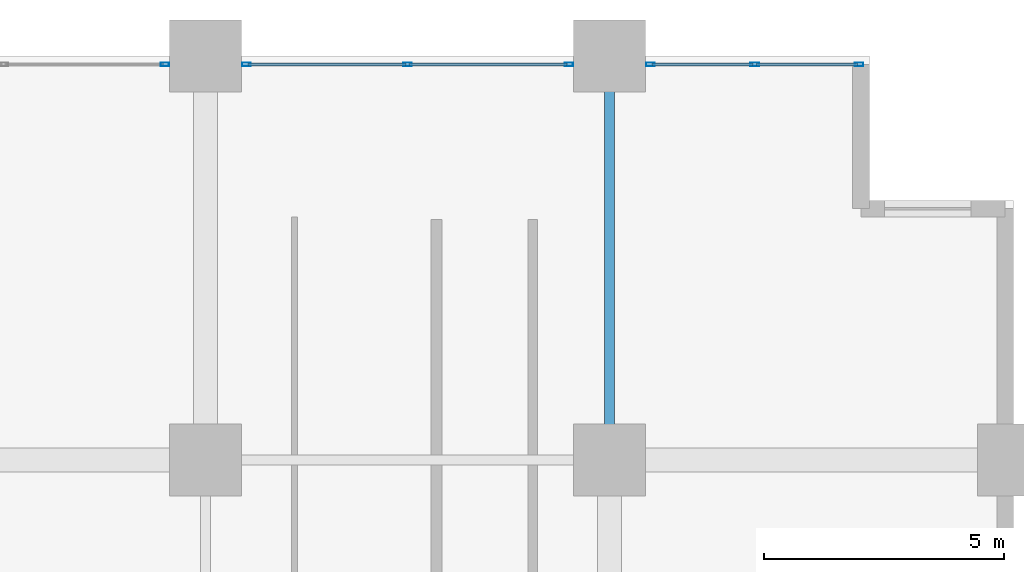
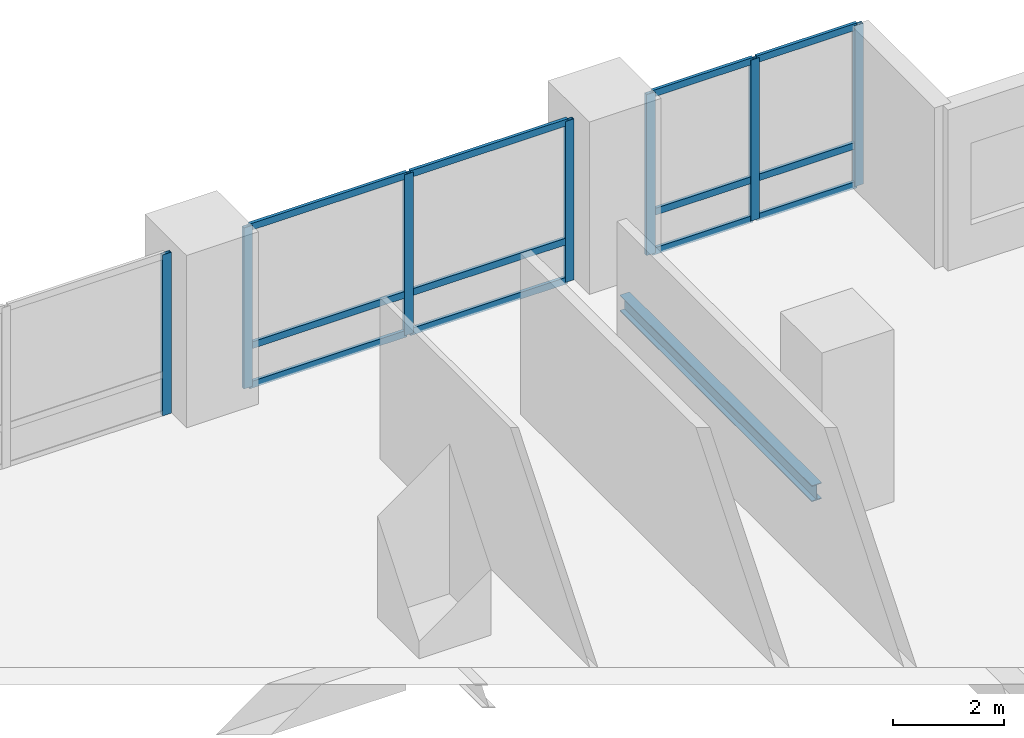
# One storey, part 5 of 24: 19 members, 1 beam, 3 elements without a shape of their own.
"""IFC4 building model written with IfcOpenShell, lengths in metres."""

import ifcopenshell
import ifcopenshell.guid

model = None  # the IFC model being written
_history = None  # IfcOwnerHistory: only IFC2X3 demands one
_inside = {}  # id of a spatial element -> (the spatial element, [elements in it])
_under = {}  # id of a project, library or spatial element -> (it, [spatial elements below it])
_declared = {}  # id of a project -> (the project, [libraries it declares])
_typed = {}  # id of a type object -> (the type object, [elements of that type])
_made_of = {}  # id of a material, layer set ... -> (it, [elements and type objects made of it])


def new_model(schema):
    """Start an empty IFC model of exactly this schema.

    Asked for "IFC4X3", IfcOpenShell would pick the latest addendum, in which some entities
    have other attributes; the version numbers below select the first issue.
    IFC2X3 requires an IfcOwnerHistory on every rooted entity: one is made here for all.
    """
    global model, _history
    if schema == "IFC4X3":
        model = ifcopenshell.file(schema_version=(4, 3, 0, 0))
    else:
        model = ifcopenshell.file(schema=schema)
    _inside.clear()
    _under.clear()
    _declared.clear()
    _typed.clear()
    _made_of.clear()
    _history = None
    if model.schema == "IFC2X3":
        org = make("IfcOrganization", Name="unknown")
        user = make(
            "IfcPersonAndOrganization",
            ThePerson=make("IfcPerson", FamilyName="unknown"),
            TheOrganization=org,
        )
        app = make(
            "IfcApplication",
            ApplicationDeveloper=org,
            Version="unknown",
            ApplicationFullName="unknown",
            ApplicationIdentifier="unknown",
        )
        _history = make(
            "IfcOwnerHistory",
            OwningUser=user,
            OwningApplication=app,
            ChangeAction="ADDED",
            CreationDate=0,
        )
    return model


def make(cls, **values):
    """One entity of the class cls with the attributes given. An attribute that is None is left unset."""
    return model.create_entity(
        cls, **{name: value for name, value in values.items() if value is not None}
    )


def rooted(cls, **values):
    """An entity with a GlobalId (a new one), such as an element, a storey or a relation."""
    return make(cls, GlobalId=ifcopenshell.guid.new(), OwnerHistory=_history, **values)


def si_unit(unit_type, name, prefix=None):
    """IfcSIUnit, for example si_unit("LENGTHUNIT", "METRE", prefix="MILLI")."""
    return make("IfcSIUnit", UnitType=unit_type, Prefix=prefix, Name=name)


def assignment(units):
    """IfcUnitAssignment: the units of a project."""
    return None if units is None else make("IfcUnitAssignment", Units=units)


def point(xyz):
    """IfcCartesianPoint."""
    return None if xyz is None else make("IfcCartesianPoint", Coordinates=xyz)


def direction(xyz):
    """IfcDirection."""
    return None if xyz is None else make("IfcDirection", DirectionRatios=xyz)


def frame(location, z_axis=None, x_axis=None):
    """IfcAxis2Placement3D, a coordinate frame: its origin and axes. An axis left out is left unset."""
    return make(
        "IfcAxis2Placement3D",
        Location=point(location),
        Axis=direction(z_axis),
        RefDirection=direction(x_axis),
    )


def frame_2d(location, x_axis=None):
    """IfcAxis2Placement2D, a coordinate frame in the plane: its origin and x axis."""
    return make(
        "IfcAxis2Placement2D", Location=point(location), RefDirection=direction(x_axis)
    )


def origin():
    """The frame at (0, 0, 0) with its axes left unset."""
    return frame((0.0, 0.0, 0.0))


def origin_2d():
    """The frame at (0, 0) in the plane with its x axis left unset."""
    return frame_2d((0.0, 0.0))


def place(relative_to, where):
    """IfcLocalPlacement: puts the frame where relative to a parent placement (None: the world)."""
    return make(
        "IfcLocalPlacement", PlacementRelTo=relative_to, RelativePlacement=where
    )


def context(
    kind, dimensions, precision=None, world=None, true_north=None, identifier=None
):
    """IfcGeometricRepresentationContext, for example the 3D "Model" context."""
    return make(
        "IfcGeometricRepresentationContext",
        ContextIdentifier=identifier,
        ContextType=kind,
        CoordinateSpaceDimension=dimensions,
        Precision=precision,
        WorldCoordinateSystem=world,
        TrueNorth=true_north,
    )


def subcontext(parent, identifier, kind, view, scale=None):
    """IfcGeometricRepresentationSubContext, for example "Body" below "Model"."""
    return make(
        "IfcGeometricRepresentationSubContext",
        ContextIdentifier=identifier,
        ContextType=kind,
        ParentContext=parent,
        TargetScale=scale,
        TargetView=view,
    )


def project(units=None, contexts=None):
    """IfcProject with its units and contexts."""
    return rooted(
        "IfcProject",
        Name="project",
        RepresentationContexts=contexts,
        UnitsInContext=assignment(units),
    )


def spatial(cls, under=None, at=None, **own):
    """A site, building, storey or space (cls), placed at a placement, below another one or the project."""
    s = rooted(cls, ObjectPlacement=at, **own)
    if under is not None:
        _under.setdefault(under.id(), (under, []))[1].append(s)
    return s


def profile(cls, at=None, kind="AREA", **sizes):
    """A parametric profile (cls). Its sizes go by their IFC names, for example OverallWidth=200.0."""
    return make(cls, ProfileType=kind, Position=at, **sizes)


def hollow_rectangle(**sizes):
    """IfcRectangleHollowProfileDef."""
    return profile("IfcRectangleHollowProfileDef", **sizes)


def i_section(**sizes):
    """IfcIShapeProfileDef."""
    return profile("IfcIShapeProfileDef", **sizes)


def extrude(swept, where, along, depth):
    """IfcExtrudedAreaSolid: the profile swept, set in the frame where, extruded along a direction by depth."""
    return make(
        "IfcExtrudedAreaSolid",
        SweptArea=swept,
        Position=where,
        ExtrudedDirection=direction(along),
        Depth=depth,
    )


def shape(context_of_items, identifier, shape_type, items):
    """IfcShapeRepresentation: the items that make up one representation, for example the "Body"."""
    return make(
        "IfcShapeRepresentation",
        ContextOfItems=context_of_items,
        RepresentationIdentifier=identifier,
        RepresentationType=shape_type,
        Items=items,
    )


def material(Name=None, Category=None):
    """IfcMaterial."""
    return make("IfcMaterial", Name=Name, Category=Category)


def layer(
    of_material, thickness, ventilated=None, Name=None, Category=None, Priority=None
):
    """IfcMaterialLayer: one layer of a wall or slab, of a material (None: an air gap)."""
    return make(
        "IfcMaterialLayer",
        Material=of_material,
        LayerThickness=thickness,
        IsVentilated=ventilated,
        Name=Name,
        Category=Category,
        Priority=Priority,
    )


def layer_set(layers, Name=None):
    """IfcMaterialLayerSet."""
    return make("IfcMaterialLayerSet", MaterialLayers=layers, LayerSetName=Name)


def material_profile(
    of_material, cross_section, Name=None, Category=None, Priority=None
):
    """IfcMaterialProfile: a cross section and its material."""
    return make(
        "IfcMaterialProfile",
        Name=Name,
        Material=of_material,
        Profile=cross_section,
        Priority=Priority,
        Category=Category,
    )


def profile_set(profiles, Name=None, composite=None):
    """IfcMaterialProfileSet."""
    return make(
        "IfcMaterialProfileSet",
        Name=Name,
        MaterialProfiles=profiles,
        CompositeProfile=composite,
    )


def made_of(thing, what):
    """Note that an element or type object is made of a material, layer set ...; save() writes the relation."""
    if what is not None:
        _made_of.setdefault(what.id(), (what, []))[1].append(thing)
    return thing


def type_object(cls, material=None, **own):
    """A type object (cls), such as IfcWallType, which elements share."""
    return made_of(rooted(cls, **own), material)


def element(
    cls,
    number,
    at=None,
    inside=None,
    cuts=None,
    type_object=None,
    material=None,
    context=None,
    identifier="Body",
    shape_type=None,
    held_by="IfcProductDefinitionShape",
    body=None,
    shapes=None,
    **own,
):
    """One element of the class cls, such as IfcWall. Its Tag is "e" and its number.

    at: its placement. inside: the storey or other place that contains it. cuts: it is an
    opening in that element (IfcRelVoidsElement). A single representation is given by context,
    identifier, shape_type and body (its items); several are given by shapes. held_by: the class
    of the entity that holds the representations. save() writes the other relations.
    """
    e = rooted(cls, Tag="e%d" % number, ObjectPlacement=at, **own)
    if body is not None:
        shapes = [shape(context, identifier, shape_type, body)]
    if shapes is not None:
        e.Representation = make(held_by, Representations=shapes)
    if inside is not None:
        _inside.setdefault(inside.id(), (inside, []))[1].append(e)
    if cuts is not None:
        rooted(
            "IfcRelVoidsElement", RelatingBuildingElement=cuts, RelatedOpeningElement=e
        )
    if type_object is not None:
        _typed.setdefault(type_object.id(), (type_object, []))[1].append(e)
    return made_of(e, material)


def aggregate(whole, parts):
    """IfcRelAggregates: a whole, such as a stair, and the parts it consists of."""
    return rooted("IfcRelAggregates", RelatingObject=whole, RelatedObjects=parts)


def save(model, path):
    """Write the relations noted so far, then the file.

    IfcRelAggregates (storeys below a building ...), IfcRelContainedInSpatialStructure (elements
    in a storey), IfcRelDefinesByType, IfcRelAssociatesMaterial and IfcRelDeclares: one each for
    every whole, place, type object, material and project.
    """
    for whole, parts in _under.values():
        aggregate(whole, parts)
    for where, things in _inside.values():
        rooted(
            "IfcRelContainedInSpatialStructure",
            RelatedElements=things,
            RelatingStructure=where,
        )
    for kind, things in _typed.values():
        rooted("IfcRelDefinesByType", RelatedObjects=things, RelatingType=kind)
    for what, things in _made_of.values():
        rooted("IfcRelAssociatesMaterial", RelatedObjects=things, RelatingMaterial=what)
    for by, libraries in _declared.values():
        rooted("IfcRelDeclares", RelatingContext=by, RelatedDefinitions=libraries)
    model.write(path)


model = new_model("IFC4")

# Units and contexts
model_context = context("Model", 3, precision=1e-05, world=origin(), true_north=direction((0.0, 1.0)))
body_context = subcontext(model_context, "Body", "Model", "MODEL_VIEW")
ifc_project = project(units=[si_unit("LENGTHUNIT", "METRE"), si_unit("AREAUNIT", "SQUARE_METRE"), si_unit("VOLUMEUNIT", "CUBIC_METRE"), si_unit("PLANEANGLEUNIT", "RADIAN"), si_unit("MASSUNIT", "GRAM", prefix="KILO")], contexts=[model_context])

# Site, building, storey
site_placement = place(None, origin())
site = spatial("IfcSite", under=ifc_project, at=site_placement, CompositionType="ELEMENT")
building_placement = place(site_placement, origin())
building = spatial("IfcBuilding", under=site, at=building_placement, Name="Koriwani Terraces Tower", CompositionType="ELEMENT")
storey_placement = place(building_placement, frame((0.0, 0.0, 47.199951171875)))
storey = spatial("IfcBuildingStorey", under=building, at=storey_placement, Name="L10", CompositionType="ELEMENT", Elevation=47.199951171875)

# Curtain wall, member
ifc_material_1 = material(Name="Anodised Bronze Aluminium", Category="aluminium")
ifc_layer = layer(ifc_material_1, 0.179931640625, Name="Anodised Bronze Aluminium")
ifc_layer_set = layer_set([ifc_layer], Name="Anodised Bronze Aluminium")
curtain_wall_type = type_object("IfcCurtainWallType", Name="CW_HOTEL_ZONE1", PredefinedType="NOTDEFINED", material=ifc_layer_set)
curtain_wall_1_placement = place(storey_placement, origin())
curtain_wall_1 = element("IfcCurtainWall", 1, at=curtain_wall_1_placement, inside=storey, type_object=curtain_wall_type, Name="L10 Unitised Curtain Wall (N_TIP) Bay 2", PredefinedType="NOTDEFINED")
ifc_material_profile_1 = material_profile(ifc_material_1, hollow_rectangle(XDim=0.074951171875, YDim=0.179931640625, WallThickness=0.006103515625, at=origin_2d()), Name="Anodised Bronze Aluminium", Category="LoadBearing")
ifc_profile_set_1 = profile_set([ifc_material_profile_1], Name="Anodised Bronze Aluminium")
member_type_1 = type_object("IfcMemberType", Name="CW_MULLION_180X75", PredefinedType="MULLION", material=ifc_profile_set_1)
member_1_placement = place(storey_placement, frame((15.952392578125, 92.22509765625, 0.0), z_axis=(0.0, 0.0, 1.0), x_axis=(0.0, 1.0, 0.0)))
member_1 = element("IfcMember", 2, at=member_1_placement, type_object=member_type_1, Name="CW-Z1 mullion 3", PredefinedType="MULLION", context=body_context, shape_type="SweptSolid", body=[
    extrude(hollow_rectangle(XDim=0.074951171875, YDim=0.179931640625, WallThickness=0.006103515625, at=origin_2d()), origin(), (0.0, 0.0, 1.0), 3.550048828125),
])
aggregate(curtain_wall_1, [member_1])

# Curtain wall, members
curtain_wall_2_placement = place(storey_placement, origin())
curtain_wall_2 = element("IfcCurtainWall", 3, at=curtain_wall_2_placement, inside=storey, type_object=curtain_wall_type, Name="L10 Unitised Curtain Wall (N_TIP) Bay 3", PredefinedType="NOTDEFINED")
member_2_placement = place(storey_placement, frame((17.6474609375, 92.22509765625, 0.0), z_axis=(0.0, 0.0, 1.0), x_axis=(0.0, 1.0, 0.0)))
member_2 = element("IfcMember", 4, at=member_2_placement, type_object=member_type_1, Name="CW-Z1 mullion 1", PredefinedType="MULLION", context=body_context, shape_type="SweptSolid", body=[
    extrude(hollow_rectangle(XDim=0.074951171875, YDim=0.179931640625, WallThickness=0.006103515625, at=origin_2d()), origin(), (0.0, 0.0, 1.0), 3.550048828125),
])
member_3_placement = place(storey_placement, frame((21.0, 92.22509765625, 0.0), z_axis=(0.0, 0.0, 1.0), x_axis=(0.0, 1.0, 0.0)))
member_3 = element("IfcMember", 5, at=member_3_placement, type_object=member_type_1, Name="CW-Z1 mullion 2", PredefinedType="MULLION", context=body_context, shape_type="SweptSolid", body=[
    extrude(hollow_rectangle(XDim=0.074951171875, YDim=0.179931640625, WallThickness=0.006103515625, at=origin_2d()), origin(), (0.0, 0.0, 1.0), 3.550048828125),
])
member_4_placement = place(storey_placement, frame((24.3525390625, 92.22509765625, 0.0), z_axis=(0.0, 0.0, 1.0), x_axis=(0.0, 1.0, 0.0)))
member_4 = element("IfcMember", 6, at=member_4_placement, type_object=member_type_1, Name="CW-Z1 mullion 3", PredefinedType="MULLION", context=body_context, shape_type="SweptSolid", body=[
    extrude(hollow_rectangle(XDim=0.074951171875, YDim=0.179931640625, WallThickness=0.006103515625, at=origin_2d()), origin(), (0.0, 0.0, 1.0), 3.550048828125),
])

curtain_wall_3_placement = place(storey_placement, origin())
curtain_wall_3 = element("IfcCurtainWall", 7, at=curtain_wall_3_placement, inside=storey, type_object=curtain_wall_type, Name="L10 Unitised Curtain Wall (N_TIP) Bay 4", PredefinedType="NOTDEFINED")
member_5_placement = place(storey_placement, frame((26.047607421875, 92.22509765625, 0.0), z_axis=(0.0, 0.0, 1.0), x_axis=(0.0, 1.0, 0.0)))
member_5 = element("IfcMember", 8, at=member_5_placement, type_object=member_type_1, Name="CW-Z1 mullion 1", PredefinedType="MULLION", context=body_context, shape_type="SweptSolid", body=[
    extrude(hollow_rectangle(XDim=0.074951171875, YDim=0.179931640625, WallThickness=0.006103515625, at=origin_2d()), origin(), (0.0, 0.0, 1.0), 3.550048828125),
])
member_6_placement = place(storey_placement, frame((28.217529296875, 92.22509765625, 0.0), z_axis=(0.0, 0.0, 1.0), x_axis=(0.0, 1.0, 0.0)))
member_6 = element("IfcMember", 9, at=member_6_placement, type_object=member_type_1, Name="CW-Z1 mullion 2", PredefinedType="MULLION", context=body_context, shape_type="SweptSolid", body=[
    extrude(hollow_rectangle(XDim=0.074951171875, YDim=0.179931640625, WallThickness=0.006103515625, at=origin_2d()), origin(), (0.0, 0.0, 1.0), 3.550048828125),
])
member_7_placement = place(storey_placement, frame((30.387451171875, 92.22509765625, 0.0), z_axis=(0.0, 0.0, 1.0), x_axis=(0.0, 1.0, 0.0)))
member_7 = element("IfcMember", 10, at=member_7_placement, type_object=member_type_1, Name="CW-Z1 mullion 3", PredefinedType="MULLION", context=body_context, shape_type="SweptSolid", body=[
    extrude(hollow_rectangle(XDim=0.074951171875, YDim=0.179931640625, WallThickness=0.006103515625, at=origin_2d()), origin(), (0.0, 0.0, 1.0), 3.550048828125),
])

# Member
ifc_material_profile_2 = material_profile(ifc_material_1, hollow_rectangle(XDim=0.06494140625, YDim=0.14990234375, WallThickness=0.0048828125, at=origin_2d()), Name="Anodised Bronze Aluminium", Category="LoadBearing")
ifc_profile_set_2 = profile_set([ifc_material_profile_2], Name="Anodised Bronze Aluminium")
member_type_2 = type_object("IfcMemberType", Name="CW_TRANSOM_150X65", PredefinedType="USERDEFINED", material=ifc_profile_set_2)
member_8_placement = place(storey_placement, frame((17.68505859375, 92.22509765625, 0.032470703125), z_axis=(1.0, 0.0, 0.0), x_axis=(0.0, 1.0, 0.0)))
member_8 = element("IfcMember", 11, at=member_8_placement, type_object=member_type_2, Name="CW-Z1 transom 1.1", ObjectType="TRANSOM", PredefinedType="USERDEFINED", context=body_context, shape_type="SweptSolid", body=[
    extrude(hollow_rectangle(XDim=0.06494140625, YDim=0.14990234375, WallThickness=0.0048828125, at=origin_2d()), origin(), (0.0, 0.0, 1.0), 3.27734375),
])

member_9_placement = place(storey_placement, frame((17.68505859375, 92.22509765625, 0.900146484375), z_axis=(1.0, 0.0, 0.0), x_axis=(0.0, 1.0, 0.0)))
member_9 = element("IfcMember", 12, at=member_9_placement, type_object=member_type_2, Name="CW-Z1 transom 1.2", ObjectType="TRANSOM", PredefinedType="USERDEFINED", context=body_context, shape_type="SweptSolid", body=[
    extrude(hollow_rectangle(XDim=0.06494140625, YDim=0.14990234375, WallThickness=0.0048828125, at=origin_2d()), origin(), (0.0, 0.0, 1.0), 3.27734375),
])

member_10_placement = place(storey_placement, frame((17.68505859375, 92.22509765625, 3.517578125), z_axis=(1.0, 0.0, 0.0), x_axis=(0.0, 1.0, 0.0)))
member_10 = element("IfcMember", 13, at=member_10_placement, type_object=member_type_2, Name="CW-Z1 transom 1.3", ObjectType="TRANSOM", PredefinedType="USERDEFINED", context=body_context, shape_type="SweptSolid", body=[
    extrude(hollow_rectangle(XDim=0.06494140625, YDim=0.14990234375, WallThickness=0.0048828125, at=origin_2d()), origin(), (0.0, 0.0, 1.0), 3.27734375),
])

member_11_placement = place(storey_placement, frame((21.03759765625, 92.22509765625, 0.032470703125), z_axis=(1.0, 0.0, 0.0), x_axis=(0.0, 1.0, 0.0)))
member_11 = element("IfcMember", 14, at=member_11_placement, type_object=member_type_2, Name="CW-Z1 transom 2.1", ObjectType="TRANSOM", PredefinedType="USERDEFINED", context=body_context, shape_type="SweptSolid", body=[
    extrude(hollow_rectangle(XDim=0.06494140625, YDim=0.14990234375, WallThickness=0.0048828125, at=origin_2d()), origin(), (0.0, 0.0, 1.0), 3.27734375),
])

member_12_placement = place(storey_placement, frame((21.03759765625, 92.22509765625, 0.900146484375), z_axis=(1.0, 0.0, 0.0), x_axis=(0.0, 1.0, 0.0)))
member_12 = element("IfcMember", 15, at=member_12_placement, type_object=member_type_2, Name="CW-Z1 transom 2.2", ObjectType="TRANSOM", PredefinedType="USERDEFINED", context=body_context, shape_type="SweptSolid", body=[
    extrude(hollow_rectangle(XDim=0.06494140625, YDim=0.14990234375, WallThickness=0.0048828125, at=origin_2d()), origin(), (0.0, 0.0, 1.0), 3.27734375),
])

member_13_placement = place(storey_placement, frame((21.03759765625, 92.22509765625, 3.517578125), z_axis=(1.0, 0.0, 0.0), x_axis=(0.0, 1.0, 0.0)))
member_13 = element("IfcMember", 16, at=member_13_placement, type_object=member_type_2, Name="CW-Z1 transom 2.3", ObjectType="TRANSOM", PredefinedType="USERDEFINED", context=body_context, shape_type="SweptSolid", body=[
    extrude(hollow_rectangle(XDim=0.06494140625, YDim=0.14990234375, WallThickness=0.0048828125, at=origin_2d()), origin(), (0.0, 0.0, 1.0), 3.27734375),
])

aggregate(curtain_wall_2, [member_2, member_3, member_4, member_8, member_9, member_10, member_11, member_12, member_13])

member_14_placement = place(storey_placement, frame((26.0849609375, 92.22509765625, 0.032470703125), z_axis=(1.0, 0.0, 0.0), x_axis=(0.0, 1.0, 0.0)))
member_14 = element("IfcMember", 17, at=member_14_placement, type_object=member_type_2, Name="CW-Z1 transom 1.1", ObjectType="TRANSOM", PredefinedType="USERDEFINED", context=body_context, shape_type="SweptSolid", body=[
    extrude(hollow_rectangle(XDim=0.06494140625, YDim=0.14990234375, WallThickness=0.0048828125, at=origin_2d()), origin(), (0.0, 0.0, 1.0), 2.094970703125),
])

member_15_placement = place(storey_placement, frame((26.0849609375, 92.22509765625, 0.900146484375), z_axis=(1.0, 0.0, 0.0), x_axis=(0.0, 1.0, 0.0)))
member_15 = element("IfcMember", 18, at=member_15_placement, type_object=member_type_2, Name="CW-Z1 transom 1.2", ObjectType="TRANSOM", PredefinedType="USERDEFINED", context=body_context, shape_type="SweptSolid", body=[
    extrude(hollow_rectangle(XDim=0.06494140625, YDim=0.14990234375, WallThickness=0.0048828125, at=origin_2d()), origin(), (0.0, 0.0, 1.0), 2.094970703125),
])

member_16_placement = place(storey_placement, frame((26.0849609375, 92.22509765625, 3.517578125), z_axis=(1.0, 0.0, 0.0), x_axis=(0.0, 1.0, 0.0)))
member_16 = element("IfcMember", 19, at=member_16_placement, type_object=member_type_2, Name="CW-Z1 transom 1.3", ObjectType="TRANSOM", PredefinedType="USERDEFINED", context=body_context, shape_type="SweptSolid", body=[
    extrude(hollow_rectangle(XDim=0.06494140625, YDim=0.14990234375, WallThickness=0.0048828125, at=origin_2d()), origin(), (0.0, 0.0, 1.0), 2.094970703125),
])

member_17_placement = place(storey_placement, frame((28.2548828125, 92.22509765625, 0.032470703125), z_axis=(1.0, 0.0, 0.0), x_axis=(0.0, 1.0, 0.0)))
member_17 = element("IfcMember", 20, at=member_17_placement, type_object=member_type_2, Name="CW-Z1 transom 2.1", ObjectType="TRANSOM", PredefinedType="USERDEFINED", context=body_context, shape_type="SweptSolid", body=[
    extrude(hollow_rectangle(XDim=0.06494140625, YDim=0.14990234375, WallThickness=0.0048828125, at=origin_2d()), origin(), (0.0, 0.0, 1.0), 2.09521484375),
])

member_18_placement = place(storey_placement, frame((28.2548828125, 92.22509765625, 0.900146484375), z_axis=(1.0, 0.0, 0.0), x_axis=(0.0, 1.0, 0.0)))
member_18 = element("IfcMember", 21, at=member_18_placement, type_object=member_type_2, Name="CW-Z1 transom 2.2", ObjectType="TRANSOM", PredefinedType="USERDEFINED", context=body_context, shape_type="SweptSolid", body=[
    extrude(hollow_rectangle(XDim=0.06494140625, YDim=0.14990234375, WallThickness=0.0048828125, at=origin_2d()), origin(), (0.0, 0.0, 1.0), 2.09521484375),
])

member_19_placement = place(storey_placement, frame((28.2548828125, 92.22509765625, 3.517578125), z_axis=(1.0, 0.0, 0.0), x_axis=(0.0, 1.0, 0.0)))
member_19 = element("IfcMember", 22, at=member_19_placement, type_object=member_type_2, Name="CW-Z1 transom 2.3", ObjectType="TRANSOM", PredefinedType="USERDEFINED", context=body_context, shape_type="SweptSolid", body=[
    extrude(hollow_rectangle(XDim=0.06494140625, YDim=0.14990234375, WallThickness=0.0048828125, at=origin_2d()), origin(), (0.0, 0.0, 1.0), 2.09521484375),
])

aggregate(curtain_wall_3, [member_5, member_6, member_7, member_14, member_15, member_16, member_17, member_18, member_19])

# Beam
ifc_material_2 = material(Name="Steel ASTM A572 Grade 50", Category="steel")
ifc_material_profile_3 = material_profile(ifc_material_2, i_section(OverallWidth=0.205078125, OverallDepth=0.35400390625, WebThickness=0.009521484375, FlangeThickness=0.016845703125, at=origin_2d()), Name="Steel ASTM A572 Grade 50", Category="LoadBearing")
ifc_profile_set_3 = profile_set([ifc_material_profile_3], Name="Steel ASTM A572 Grade 50")
beam_type = type_object("IfcBeamType", Name="STEEL_BEAM_W360X79", PredefinedType="JOIST", material=ifc_profile_set_3)
beam_placement = place(storey_placement, frame((25.199951171875, 84.72998046875, -0.427001953125), z_axis=(0.0, 1.0, 0.0), x_axis=(-1.0, 0.0, 0.0)))
element("IfcBeam", 23, at=beam_placement, inside=storey, type_object=beam_type, Name="L10 Grid Beam 4 (84.0-92.4m)", PredefinedType="JOIST", context=body_context, shape_type="SweptSolid", body=[
    extrude(i_section(OverallWidth=0.205078125, OverallDepth=0.35400390625, WebThickness=0.009521484375, FlangeThickness=0.016845703125, at=origin_2d()), origin(), (0.0, 0.0, 1.0), 6.93994140625),
])

save(model, "model.ifc")
